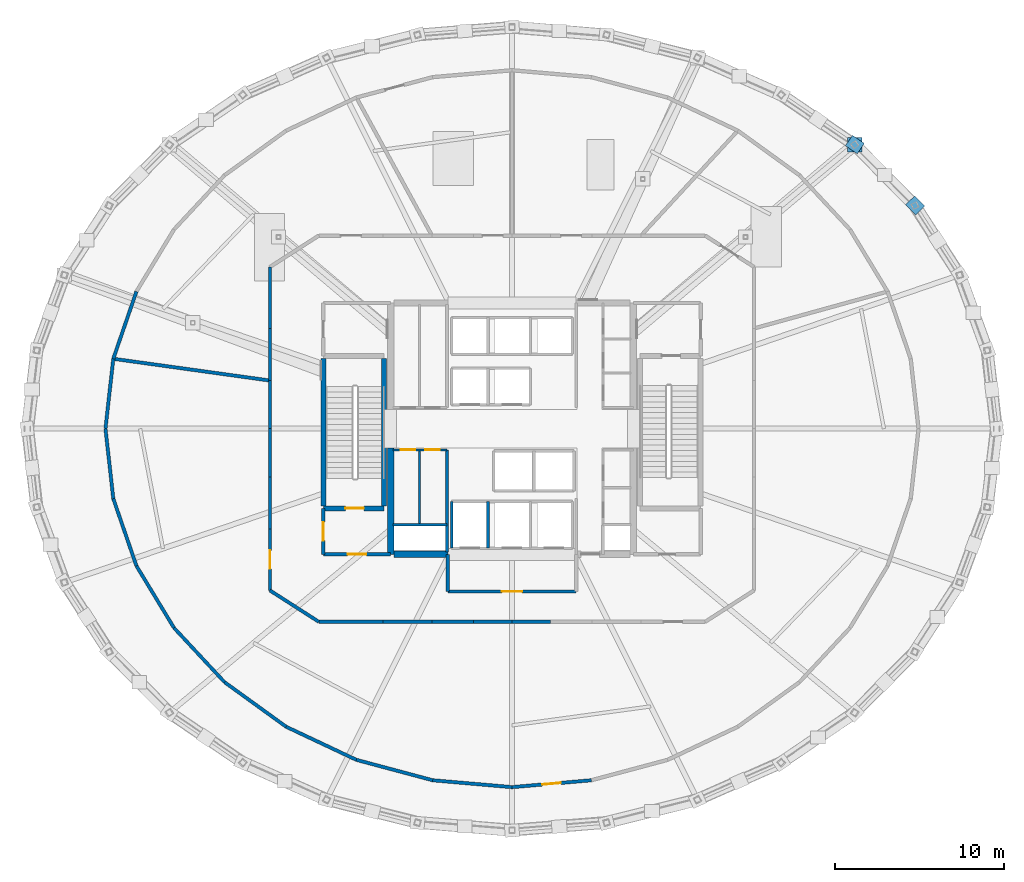
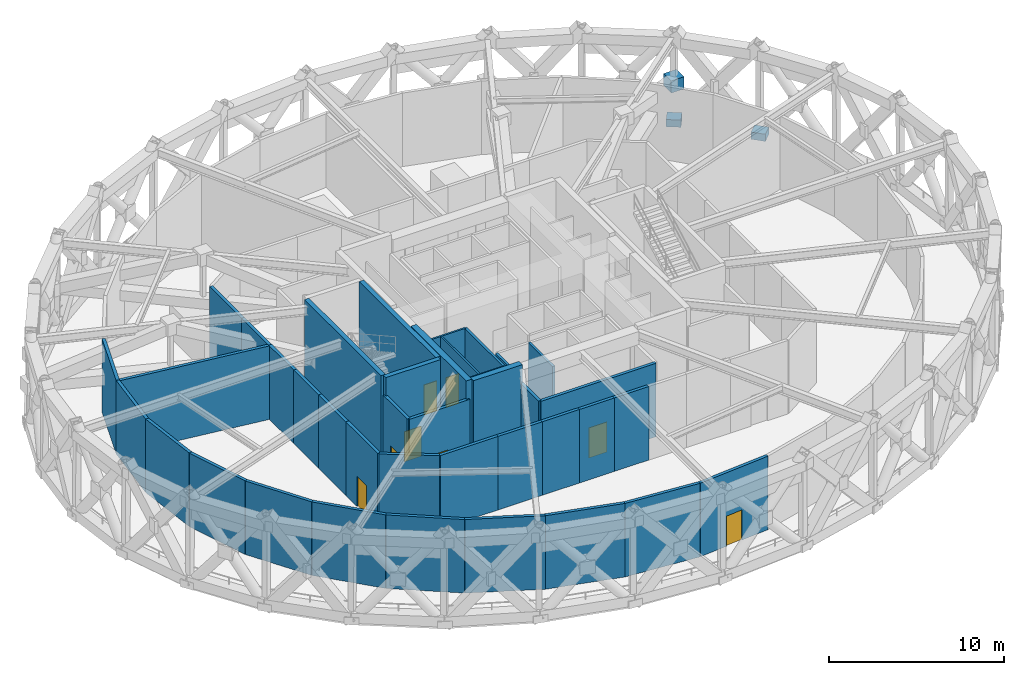
# One storey, part 8 of 15: 39 walls, 8 doors, 3 plates, 8 openings.
"""IFC4 building model written with IfcOpenShell, lengths in metres."""

from ifc_helpers import new_model, si_unit, direction, frame, frame_2d, origin, origin_2d, place, context, subcontext, project, spatial, rectangle, extrude, material, layer, layer_set, type_object, element, fill, save


model = new_model("IFC4")

# Units and contexts
model_context = context("Model", 3, precision=1e-05, world=origin(), true_north=direction((0.0, 1.0)))
body_context = subcontext(model_context, "Body", "Model", "MODEL_VIEW")
ifc_project = project(units=[si_unit("LENGTHUNIT", "METRE"), si_unit("AREAUNIT", "SQUARE_METRE"), si_unit("VOLUMEUNIT", "CUBIC_METRE"), si_unit("PLANEANGLEUNIT", "RADIAN"), si_unit("MASSUNIT", "GRAM", prefix="KILO")], contexts=[model_context])

# Site, building, storey
site_placement = place(None, origin())
site = spatial("IfcSite", under=ifc_project, at=site_placement, CompositionType="ELEMENT")
building_placement = place(site_placement, origin())
building = spatial("IfcBuilding", under=site, at=building_placement, Name="Veldorina Hangang Commons", CompositionType="ELEMENT")
storey_placement = place(building_placement, frame((0.0, 0.0, 110.800048828125)))
storey = spatial("IfcBuildingStorey", under=building, at=storey_placement, Name="L28", CompositionType="ELEMENT", Elevation=110.800048828125)

# Plates
ifc_material_1 = material(Name="Steel SM490-TMC", Category="steel")
ifc_layer_1 = layer(ifc_material_1, 0.044921875)
ifc_layer_set_1 = layer_set([ifc_layer_1], Name="Steel SM490-TMC")
plate_type_1 = type_object("IfcPlateType", Name="PL-NODE-45", PredefinedType="SHEET", material=ifc_layer_set_1)
plate_placement = place(storey_placement, frame((52.313720703125, 40.8359375, 2.4248046875), z_axis=(0.0, 0.0, 1.0), x_axis=(1.0, 0.0, 0.0)))
element("IfcPlate", 1, at=plate_placement, inside=storey, type_object=plate_type_1, Name="L28 outrigger node plate 01-OT", PredefinedType="SHEET", context=body_context, shape_type="SweptSolid", body=[
    extrude(rectangle(XDim=0.85009765625, YDim=0.85009765625, at=origin_2d()), origin(), (0.0, 0.0, 1.0), 0.85009765625),
])
ifc_material_2 = material(Name="Steel SM460-TMC", Category="steel")
ifc_layer_2 = layer(ifc_material_2, 0.035888671875)
ifc_layer_set_2 = layer_set([ifc_layer_2], Name="Steel SM460-TMC")
plate_type_2 = type_object("IfcPlateType", Name="PL-STAR-36", PredefinedType="USERDEFINED", material=ifc_layer_set_2)
for number, where, z_axis, x_axis, name in (
    (2, (55.90087890625, 37.234619140625, -0.090087890625), (0.0, 0.0, 1.0), (-0.703667578356, 0.710529337304, 0.0), "L28 diagrid star-node gusset plate 03"),
    (3, (52.325927734375, 40.844482421875, -0.090087890625), (0.0, 0.0, 1.0), (-0.826884319778, 0.562372049186, 0.0), "L28 diagrid star-node gusset plate 04"),
):
    element("IfcPlate", number, at=place(storey_placement, frame(where, z_axis=z_axis, x_axis=x_axis)), inside=storey, type_object=plate_type_2, Name=name, ObjectType="GUSSET PLATE", PredefinedType="USERDEFINED", context=body_context, shape_type="SweptSolid", body=[
        extrude(rectangle(XDim=0.85009765625, YDim=0.75, at=origin_2d()), origin(), (0.0, 0.0, 1.0), 0.5),
    ])

# Walls
ifc_material_3 = material(Name="Concrete C70/85", Category="concrete")
ifc_layer_3 = layer(ifc_material_3, 0.3798828125)
ifc_layer_set_3 = layer_set([ifc_layer_3], Name="Concrete C70/85")
wall_type_1 = type_object("IfcWallType", Name="CW-RC380-C70", PredefinedType="SHEAR", material=ifc_layer_set_3)
wall_1_placement = place(storey_placement, frame((24.800048828125, 16.550048828125, 0.0), z_axis=(0.0, 0.0, 1.0), x_axis=(0.0, 1.0, 0.0)))
element("IfcWall", 4, at=wall_1_placement, inside=storey, type_object=wall_type_1, Name="L28 W south core shear wall", PredefinedType="SHEAR", context=body_context, shape_type="SweptSolid", body=[
    extrude(rectangle(XDim=6.300048828125, YDim=0.3798828125, at=frame_2d((3.14990234375, 0.0))), origin(), (0.0, 0.0, 1.0), 6.39990234375),
])
wall_2_placement = place(storey_placement, frame((24.989990234375, 16.550048828125, 0.0), z_axis=(0.0, 0.0, 1.0), x_axis=(1.0, 0.0, 0.0)))
element("IfcWall", 5, at=wall_2_placement, inside=storey, type_object=wall_type_1, Name="L28 south-west core shear wall", PredefinedType="SHEAR", context=body_context, shape_type="SweptSolid", body=[
    extrude(rectangle(XDim=3.2099609375, YDim=0.3798828125, at=frame_2d((1.60498046875, 0.0))), origin(), (0.0, 0.0, 1.0), 6.39990234375),
])
ifc_material_4 = material(Name="Concrete C50/60", Category="concrete")
ifc_layer_4 = layer(ifc_material_4, 0.300048828125)
ifc_layer_set_4 = layer_set([ifc_layer_4], Name="Concrete C50/60")
wall_type_2 = type_object("IfcWallType", Name="SW-STAIR-300", PredefinedType="SHEAR", material=ifc_layer_set_4)
for number, where, z_axis, x_axis, name in (
    (6, (20.820068359375, 19.429931640625, 0.0), (0.0, 0.0, 1.0), (0.0, 1.0, 0.0), "L28 ST1 outer stair shear wall"),
    (7, (24.419921875, 19.429931640625, 0.0), (0.0, 0.0, 1.0), (0.0, 1.0, 0.0), "L28 ST1 inner stair shear wall"),
):
    element("IfcWall", number, at=place(storey_placement, frame(where, z_axis=z_axis, x_axis=x_axis)), inside=storey, type_object=wall_type_2, Name=name, PredefinedType="SHEAR", context=body_context, shape_type="SweptSolid", body=[
        extrude(rectangle(XDim=8.739990234375, YDim=0.300048828125, at=frame_2d((4.3701171875, 0.0))), origin(), (0.0, 0.0, 1.0), 6.39990234375),
    ])

# Wall, opening, door
wall_3_placement = place(storey_placement, frame((20.820068359375, 19.280029296875, 0.0), z_axis=(0.0, 0.0, 1.0), x_axis=(1.0, 0.0, 0.0)))
wall_3 = element("IfcWall", 8, at=wall_3_placement, inside=storey, type_object=wall_type_2, Name="L28 ST1 south stair shear wall", PredefinedType="SHEAR", context=body_context, shape_type="SweptSolid", body=[
    extrude(rectangle(XDim=3.599853515625, YDim=0.300048828125, at=frame_2d((1.7998046875, 0.0))), origin(), (0.0, 0.0, 1.0), 6.39990234375),
])
opening_1_placement = place(wall_3_placement, frame((1.300048828125, 0.0, 0.0)))
opening_1 = element("IfcOpeningElement", 9, at=opening_1_placement, cuts=wall_3, Name="Opening D-08", PredefinedType="OPENING", context=body_context, shape_type="SweptSolid", body=[
    extrude(rectangle(XDim=1.10009765625, YDim=2.10009765625, at=frame_2d((0.550048828125, 1.050048828125))), frame((0.0, 0.16015625, 0.0), z_axis=(0.0, -1.0, 0.0), x_axis=(1.0, 0.0, 0.0)), (0.0, 0.0, 1.0), 0.320068359375),
])
ifc_material_5 = material(Name="Steel Fire-Rated Smoke Seal", Category="steel")
door_type_1 = type_object("IfcDoorType", Name="DR-FIRE-1100", OperationType="SINGLE_SWING_RIGHT", PredefinedType="DOOR", material=ifc_material_5)
door_1_placement = place(opening_1_placement, origin())
door_1 = element("IfcDoor", 10, at=door_1_placement, inside=storey, type_object=door_type_1, Name="L28 Special Escape Stair ST-1 door", OperationType="SINGLE_SWING_LEFT", OverallHeight=2.10009765625, OverallWidth=1.10009765625, PredefinedType="DOOR", context=body_context, shape_type="SweptSolid", body=[
    extrude(rectangle(XDim=1.10009765625, YDim=2.10009765625, at=frame_2d((0.550048828125, 1.050048828125))), frame((0.0, 0.02490234375, 0.0), z_axis=(0.0, -1.0, 0.0), x_axis=(1.0, 0.0, 0.0)), (0.0, 0.0, 1.0), 0.050048828125),
])
fill(opening_1, door_1)

# Walls
ifc_material_6 = material(Name="Gypsum Fire-Rated Twin Stud Wall", Category="gypsum")
ifc_layer_5 = layer(ifc_material_6, 0.159912109375)
ifc_layer_set_5 = layer_set([ifc_layer_5], Name="Gypsum Fire-Rated Twin Stud Wall")
wall_type_3 = type_object("IfcWallType", Name="WL-FIRE-160", PredefinedType="SOLIDWALL", material=ifc_layer_set_5)
for number, where, z_axis, x_axis, name in (
    (11, (28.419921875, 16.919921875, 0.0), (0.0, 0.0, 1.0), (0.0, 1.0, 0.0), "L28 FFL-1 west shaft wall 033"),
    (12, (30.580078125, 16.919921875, 0.0), (0.0, 0.0, 1.0), (0.0, 1.0, 0.0), "L28 FFL-1 east shaft wall 034"),
):
    element("IfcWall", number, at=place(storey_placement, frame(where, z_axis=z_axis, x_axis=x_axis)), inside=storey, type_object=wall_type_3, Name=name, PredefinedType="SOLIDWALL", context=body_context, shape_type="SweptSolid", body=[
        extrude(rectangle(XDim=2.760009765625, YDim=0.159912109375, at=frame_2d((1.3798828125, 0.0))), origin(), (0.0, 0.0, 1.0), 5.119873046875),
    ])
wall_4_placement = place(storey_placement, frame((24.949951171875, 18.300048828125, 0.0), z_axis=(0.0, 0.0, 1.0), x_axis=(1.0, 0.0, 0.0)))
element("IfcWall", 13, at=wall_4_placement, inside=storey, type_object=wall_type_3, Name="L28 Electrical riser wall 037", PredefinedType="SOLIDWALL", context=body_context, shape_type="SweptSolid", body=[
    extrude(rectangle(XDim=3.199951171875, YDim=0.159912109375, at=frame_2d((1.60009765625, 0.0))), origin(), (0.0, 0.0, 1.0), 5.119873046875),
])
wall_5_placement = place(storey_placement, frame((28.14990234375, 16.699951171875, 0.0), z_axis=(0.0, 0.0, 1.0), x_axis=(0.0, 1.0, 0.0)))
element("IfcWall", 14, at=wall_5_placement, inside=storey, type_object=wall_type_3, Name="L28 SW core inner wall 038", PredefinedType="SOLIDWALL", context=body_context, shape_type="SweptSolid", body=[
    extrude(rectangle(XDim=6.050048828125, YDim=0.159912109375, at=frame_2d((3.02490234375, 0.0))), origin(), (0.0, 0.0, 1.0), 5.119873046875),
])

# Wall, opening, door
ifc_material_7 = material(Name="Concrete Blockwork Fire Wall C30/37", Category="masonry")
ifc_layer_6 = layer(ifc_material_7, 0.199951171875)
ifc_layer_set_6 = layer_set([ifc_layer_6], Name="Concrete Blockwork Fire Wall C30/37")
wall_type_4 = type_object("IfcWallType", Name="WL-FIRE-200", PredefinedType="SOLIDWALL", material=ifc_layer_set_6)
wall_6_placement = place(storey_placement, frame((20.820068359375, 16.550048828125, 0.0), z_axis=(0.0, 0.0, 1.0), x_axis=(0.0, 1.0, 0.0)))
wall_6 = element("IfcWall", 15, at=wall_6_placement, inside=storey, type_object=wall_type_4, Name="L28 West vestibule outer wall 001", PredefinedType="SOLIDWALL", context=body_context, shape_type="SweptSolid", body=[
    extrude(rectangle(XDim=2.72998046875, YDim=0.199951171875, at=frame_2d((1.364990234375, 0.0))), origin(), (0.0, 0.0, 1.0), 5.119873046875),
])
opening_2_placement = place(wall_6_placement, frame((0.81494140625, 0.0, 0.0)))
opening_2 = element("IfcOpeningElement", 16, at=opening_2_placement, cuts=wall_6, Name="Opening D-08", PredefinedType="OPENING", context=body_context, shape_type="SweptSolid", body=[
    extrude(rectangle(XDim=1.10009765625, YDim=2.10009765625, at=frame_2d((0.550048828125, 1.050048828125))), frame((0.0, 0.10986328125, 0.0), z_axis=(0.0, -1.0, 0.0), x_axis=(1.0, 0.0, 0.0)), (0.0, 0.0, 1.0), 0.219970703125),
])
door_2_placement = place(opening_2_placement, origin())
door_2 = element("IfcDoor", 17, at=door_2_placement, inside=storey, type_object=door_type_1, Name="L28 West vestibule west door 001", OperationType="SINGLE_SWING_LEFT", OverallHeight=2.10009765625, OverallWidth=1.10009765625, PredefinedType="DOOR", context=body_context, shape_type="SweptSolid", body=[
    extrude(rectangle(XDim=1.10009765625, YDim=2.10009765625, at=frame_2d((0.550048828125, 1.050048828125))), frame((0.0, 0.02490234375, 0.0), z_axis=(0.0, -1.0, 0.0), x_axis=(1.0, 0.0, 0.0)), (0.0, 0.0, 1.0), 0.050048828125),
])
fill(opening_2, door_2)

wall_7_placement = place(storey_placement, frame((20.820068359375, 16.550048828125, 0.0), z_axis=(0.0, 0.0, 1.0), x_axis=(1.0, 0.0, 0.0)))
wall_7 = element("IfcWall", 18, at=wall_7_placement, inside=storey, type_object=wall_type_4, Name="L28 West vestibule south wall 002", PredefinedType="SOLIDWALL", context=body_context, shape_type="SweptSolid", body=[
    extrude(rectangle(XDim=3.97998046875, YDim=0.199951171875, at=frame_2d((1.989990234375, 0.0))), origin(), (0.0, 0.0, 1.0), 5.119873046875),
])
opening_3_placement = place(wall_7_placement, frame((1.43994140625, 0.0, 0.0)))
opening_3 = element("IfcOpeningElement", 19, at=opening_3_placement, cuts=wall_7, Name="Opening D-08", PredefinedType="OPENING", context=body_context, shape_type="SweptSolid", body=[
    extrude(rectangle(XDim=1.10009765625, YDim=2.10009765625, at=frame_2d((0.550048828125, 1.050048828125))), frame((0.0, 0.10986328125, 0.0), z_axis=(0.0, -1.0, 0.0), x_axis=(1.0, 0.0, 0.0)), (0.0, 0.0, 1.0), 0.219970703125),
])
door_3_placement = place(opening_3_placement, origin())
door_3 = element("IfcDoor", 20, at=door_3_placement, inside=storey, type_object=door_type_1, Name="L28 West vestibule refuge door 002", OperationType="SINGLE_SWING_RIGHT", OverallHeight=2.10009765625, OverallWidth=1.10009765625, PredefinedType="DOOR", context=body_context, shape_type="SweptSolid", body=[
    extrude(rectangle(XDim=1.10009765625, YDim=2.10009765625, at=frame_2d((0.550048828125, 1.050048828125))), frame((0.0, 0.02490234375, 0.0), z_axis=(0.0, -1.0, 0.0), x_axis=(1.0, 0.0, 0.0)), (0.0, 0.0, 1.0), 0.050048828125),
])
fill(opening_3, door_3)

# Wall
wall_8_placement = place(storey_placement, frame((28.199951171875, 14.35009765625, 0.0), z_axis=(0.0, 0.0, 1.0), x_axis=(0.0, 1.0, 0.0)))
element("IfcWall", 21, at=wall_8_placement, inside=storey, type_object=wall_type_4, Name="L28 FF lobby west wall 012", PredefinedType="SOLIDWALL", context=body_context, shape_type="SweptSolid", body=[
    extrude(rectangle(XDim=2.199951171875, YDim=0.199951171875, at=frame_2d((1.10009765625, 0.0))), origin(), (0.0, 0.0, 1.0), 5.119873046875),
])

# Wall, opening, door
wall_9_placement = place(storey_placement, frame((28.199951171875, 14.35009765625, 0.0), z_axis=(0.0, 0.0, 1.0), x_axis=(1.0, 0.0, 0.0)))
wall_9 = element("IfcWall", 22, at=wall_9_placement, inside=storey, type_object=wall_type_4, Name="L28 FF lobby south wall 014", PredefinedType="SOLIDWALL", context=body_context, shape_type="SweptSolid", body=[
    extrude(rectangle(XDim=7.60009765625, YDim=0.199951171875, at=frame_2d((3.800048828125, 0.0))), origin(), (0.0, 0.0, 1.0), 5.119873046875),
])
opening_4_placement = place(wall_9_placement, frame((3.199951171875, 0.0, 0.0)))
opening_4 = element("IfcOpeningElement", 23, at=opening_4_placement, cuts=wall_9, Name="Opening D-09", PredefinedType="OPENING", context=body_context, shape_type="SweptSolid", body=[
    extrude(rectangle(XDim=1.199951171875, YDim=2.10009765625, at=frame_2d((0.60009765625, 1.050048828125))), frame((0.0, 0.10986328125, 0.0), z_axis=(0.0, -1.0, 0.0), x_axis=(1.0, 0.0, 0.0)), (0.0, 0.0, 1.0), 0.219970703125),
])
ifc_material_8 = material(Name="Steel Fire-Rated Corridor Door", Category="steel")
door_type_2 = type_object("IfcDoorType", Name="DR-FIRE-1200", OperationType="SINGLE_SWING_LEFT", PredefinedType="DOOR", material=ifc_material_8)
door_4_placement = place(opening_4_placement, origin())
door_4 = element("IfcDoor", 24, at=door_4_placement, inside=storey, type_object=door_type_2, Name="L28 FF lobby south corridor door 006", OperationType="SINGLE_SWING_RIGHT", OverallHeight=2.10009765625, OverallWidth=1.199951171875, PredefinedType="DOOR", context=body_context, shape_type="SweptSolid", body=[
    extrude(rectangle(XDim=1.199951171875, YDim=2.10009765625, at=frame_2d((0.60009765625, 1.050048828125))), frame((0.0, 0.02490234375, 0.0), z_axis=(0.0, -1.0, 0.0), x_axis=(1.0, 0.0, 0.0)), (0.0, 0.0, 1.0), 0.050048828125),
])
fill(opening_4, door_4)

# Walls
wall_10_placement = place(storey_placement, frame((9.734619140625, 32.132080078125, 0.0), z_axis=(0.0, 0.0, 1.0), x_axis=(-0.325351665006, -0.945593091175, 0.0)))
element("IfcWall", 25, at=wall_10_placement, inside=storey, type_object=wall_type_4, Name="L28 L28 wind-floor compartment wall 14 066", PredefinedType="SOLIDWALL", context=body_context, shape_type="SweptSolid", body=[
    extrude(rectangle(XDim=4.215576171875, YDim=0.199951171875, at=frame_2d((2.10791015625, 0.0))), origin(), (0.0, 0.0, 1.0), 5.119873046875),
])
for number, where, z_axis, x_axis, name in (
    (26, (8.363037109375, 28.145751953125, 0.0), (0.0, 0.0, 1.0), (-0.111022469206, -0.993817896464, 0.0), "L28 L28 wind-floor compartment wall 15 067"),
    (27, (7.89990234375, 24.0, 0.0), (0.0, 0.0, 1.0), (0.111022469206, -0.993817896464, 0.0), "L28 L28 wind-floor compartment wall 16 068"),
):
    element("IfcWall", number, at=place(storey_placement, frame(where, z_axis=z_axis, x_axis=x_axis)), inside=storey, type_object=wall_type_4, Name=name, PredefinedType="SOLIDWALL", context=body_context, shape_type="SweptSolid", body=[
        extrude(rectangle(XDim=4.171630859375, YDim=0.199951171875, at=frame_2d((2.0859375, 0.0))), origin(), (0.0, 0.0, 1.0), 5.119873046875),
    ])
wall_11_placement = place(storey_placement, frame((8.363037109375, 19.854248046875, 0.0), z_axis=(0.0, 0.0, 1.0), x_axis=(0.325351665006, -0.945593091175, 0.0)))
element("IfcWall", 28, at=wall_11_placement, inside=storey, type_object=wall_type_4, Name="L28 L28 wind-floor compartment wall 17 069", PredefinedType="SOLIDWALL", context=body_context, shape_type="SweptSolid", body=[
    extrude(rectangle(XDim=4.215576171875, YDim=0.199951171875, at=frame_2d((2.10791015625, 0.0))), origin(), (0.0, 0.0, 1.0), 5.119873046875),
])
wall_12_placement = place(storey_placement, frame((9.734619140625, 15.867919921875, 0.0), z_axis=(0.0, 0.0, 1.0), x_axis=(0.518384837447, -0.855147449452, 0.0)))
element("IfcWall", 29, at=wall_12_placement, inside=storey, type_object=wall_type_4, Name="L28 L28 wind-floor compartment wall 18 070", PredefinedType="SOLIDWALL", context=body_context, shape_type="SweptSolid", body=[
    extrude(rectangle(XDim=4.296142578125, YDim=0.199951171875, at=frame_2d((2.14794921875, 0.0))), origin(), (0.0, 0.0, 1.0), 5.119873046875),
])
wall_13_placement = place(storey_placement, frame((11.961669921875, 12.194091796875, 0.0), z_axis=(0.0, 0.0, 1.0), x_axis=(0.681317030747, -0.731988458661, 0.0)))
element("IfcWall", 30, at=wall_13_placement, inside=storey, type_object=wall_type_4, Name="L28 L28 wind-floor compartment wall 19 071", PredefinedType="SOLIDWALL", context=body_context, shape_type="SweptSolid", body=[
    extrude(rectangle(XDim=4.39892578125, YDim=0.199951171875, at=frame_2d((2.199462890625, 0.0))), origin(), (0.0, 0.0, 1.0), 5.119873046875),
])
wall_14_placement = place(storey_placement, frame((14.958740234375, 8.97412109375, 0.0), z_axis=(0.0, 0.0, 1.0), x_axis=(0.810131923704, -0.586247615088, 0.0)))
element("IfcWall", 31, at=wall_14_placement, inside=storey, type_object=wall_type_4, Name="L28 L28 wind-floor compartment wall 20 072", PredefinedType="SOLIDWALL", context=body_context, shape_type="SweptSolid", body=[
    extrude(rectangle(XDim=4.508056640625, YDim=0.199951171875, at=frame_2d((2.25390625, 0.0))), origin(), (0.0, 0.0, 1.0), 5.119873046875),
])
wall_15_placement = place(storey_placement, frame((18.61083984375, 6.331298828125, 0.0), z_axis=(0.0, 0.0, 1.0), x_axis=(0.904574703116, -0.426315149253, 0.0)))
element("IfcWall", 32, at=wall_15_placement, inside=storey, type_object=wall_type_4, Name="L28 L28 wind-floor compartment wall 21 073", PredefinedType="SOLIDWALL", context=body_context, shape_type="SweptSolid", body=[
    extrude(rectangle(XDim=4.60595703125, YDim=0.199951171875, at=frame_2d((2.302978515625, 0.0))), origin(), (0.0, 0.0, 1.0), 5.119873046875),
])
wall_16_placement = place(storey_placement, frame((22.77734375, 4.36767578125, 0.0), z_axis=(0.0, 0.0, 1.0), x_axis=(0.9660285601, -0.258435332473, 0.0)))
element("IfcWall", 33, at=wall_16_placement, inside=storey, type_object=wall_type_4, Name="L28 L28 wind-floor compartment wall 22 074", PredefinedType="SOLIDWALL", context=body_context, shape_type="SweptSolid", body=[
    extrude(rectangle(XDim=4.679931640625, YDim=0.199951171875, at=frame_2d((2.33984375, 0.0))), origin(), (0.0, 0.0, 1.0), 5.119873046875),
])
wall_17_placement = place(storey_placement, frame((27.29833984375, 3.158203125, 0.0), z_axis=(0.0, 0.0, 1.0), x_axis=(0.996252226141, -0.086495675673, 0.0)))
element("IfcWall", 34, at=wall_17_placement, inside=storey, type_object=wall_type_4, Name="L28 L28 wind-floor compartment wall 23 075", PredefinedType="SOLIDWALL", context=body_context, shape_type="SweptSolid", body=[
    extrude(rectangle(XDim=4.71923828125, YDim=0.199951171875, at=frame_2d((2.359619140625, 0.0))), origin(), (0.0, 0.0, 1.0), 5.119873046875),
])

# Wall, opening, door
wall_18_placement = place(storey_placement, frame((32.0, 2.75, 0.0), z_axis=(0.0, 0.0, 1.0), x_axis=(0.996252226141, 0.086495675673, 0.0)))
wall_18 = element("IfcWall", 35, at=wall_18_placement, inside=storey, type_object=wall_type_4, Name="L28 L28 wind-floor compartment wall 24 076", PredefinedType="SOLIDWALL", context=body_context, shape_type="SweptSolid", body=[
    extrude(rectangle(XDim=4.71923828125, YDim=0.199951171875, at=frame_2d((2.359619140625, 0.0))), origin(), (0.0, 0.0, 1.0), 5.119873046875),
])
opening_5_placement = place(wall_18_placement, frame((1.809814453125, 0.0, 0.0)))
opening_5 = element("IfcOpeningElement", 36, at=opening_5_placement, cuts=wall_18, Name="Opening D-08", PredefinedType="OPENING", context=body_context, shape_type="SweptSolid", body=[
    extrude(rectangle(XDim=1.10009765625, YDim=2.10009765625, at=frame_2d((0.550048828125, 1.050048828125))), frame((0.0, 0.10986328125, 0.0), z_axis=(0.0, -1.0, 0.0), x_axis=(1.0, 0.0, 0.0)), (0.0, 0.0, 1.0), 0.219970703125),
])
door_5_placement = place(opening_5_placement, origin())
door_5 = element("IfcDoor", 37, at=door_5_placement, inside=storey, type_object=door_type_1, Name="L28 L28 wind gallery south door 021", OperationType="SINGLE_SWING_LEFT", OverallHeight=2.10009765625, OverallWidth=1.10009765625, PredefinedType="DOOR", context=body_context, shape_type="SweptSolid", body=[
    extrude(rectangle(XDim=1.10009765625, YDim=2.10009765625, at=frame_2d((0.550048828125, 1.050048828125))), frame((0.0, 0.02490234375, 0.0), z_axis=(0.0, -1.0, 0.0), x_axis=(1.0, 0.0, 0.0)), (0.0, 0.0, 1.0), 0.050048828125),
])
fill(opening_5, door_5)

# Walls
wall_19_placement = place(storey_placement, frame((17.64990234375, 33.58837890625, 0.0), z_axis=(0.0, 0.0, 1.0), x_axis=(0.0, -1.0, 0.0)))
element("IfcWall", 38, at=wall_19_placement, inside=storey, type_object=wall_type_4, Name="L28 Plant corridor wall 13 097", PredefinedType="SOLIDWALL", context=body_context, shape_type="SweptSolid", body=[
    extrude(rectangle(XDim=3.644287109375, YDim=0.199951171875, at=frame_2d((1.822265625, 0.0))), origin(), (0.0, 0.0, 1.0), 5.119873046875),
])
wall_20_placement = place(storey_placement, frame((17.64990234375, 29.944091796875, 0.0), z_axis=(0.0, 0.0, 1.0), x_axis=(0.0, -1.0, 0.0)))
element("IfcWall", 39, at=wall_20_placement, inside=storey, type_object=wall_type_4, Name="L28 Plant corridor wall 14 098", PredefinedType="SOLIDWALL", context=body_context, shape_type="SweptSolid", body=[
    extrude(rectangle(XDim=3.089599609375, YDim=0.199951171875, at=frame_2d((1.544921875, 0.0))), origin(), (0.0, 0.0, 1.0), 5.119873046875),
])
for number, where, z_axis, x_axis, name in (
    (40, (17.64990234375, 26.8544921875, 0.0), (0.0, 0.0, 1.0), (0.0, -1.0, 0.0), "L28 Plant corridor wall 15 099"),
    (41, (17.64990234375, 24.0, 0.0), (0.0, 0.0, 1.0), (0.0, -1.0, 0.0), "L28 Plant corridor wall 16 100"),
):
    element("IfcWall", number, at=place(storey_placement, frame(where, z_axis=z_axis, x_axis=x_axis)), inside=storey, type_object=wall_type_4, Name=name, PredefinedType="SOLIDWALL", context=body_context, shape_type="SweptSolid", body=[
        extrude(rectangle(XDim=2.8544921875, YDim=0.199951171875, at=frame_2d((1.42724609375, 0.0))), origin(), (0.0, 0.0, 1.0), 5.119873046875),
    ])
wall_21_placement = place(storey_placement, frame((17.64990234375, 21.1455078125, 0.0), z_axis=(0.0, 0.0, 1.0), x_axis=(0.0, -1.0, 0.0)))
element("IfcWall", 42, at=wall_21_placement, inside=storey, type_object=wall_type_4, Name="L28 Plant corridor wall 17 101", PredefinedType="SOLIDWALL", context=body_context, shape_type="SweptSolid", body=[
    extrude(rectangle(XDim=3.089599609375, YDim=0.199951171875, at=frame_2d((1.544921875, 0.0))), origin(), (0.0, 0.0, 1.0), 5.119873046875),
])

# Wall, opening, door
wall_22_placement = place(storey_placement, frame((17.64990234375, 18.055908203125, 0.0), z_axis=(0.0, 0.0, 1.0), x_axis=(0.0, -1.0, 0.0)))
wall_22 = element("IfcWall", 43, at=wall_22_placement, inside=storey, type_object=wall_type_4, Name="L28 Plant corridor wall 18 102", PredefinedType="SOLIDWALL", context=body_context, shape_type="SweptSolid", body=[
    extrude(rectangle(XDim=3.644287109375, YDim=0.199951171875, at=frame_2d((1.822265625, 0.0))), origin(), (0.0, 0.0, 1.0), 5.119873046875),
])
opening_6_placement = place(wall_22_placement, frame((1.272216796875, 0.0, 0.0)))
opening_6 = element("IfcOpeningElement", 44, at=opening_6_placement, cuts=wall_22, Name="Opening D-08", PredefinedType="OPENING", context=body_context, shape_type="SweptSolid", body=[
    extrude(rectangle(XDim=1.10009765625, YDim=2.10009765625, at=frame_2d((0.550048828125, 1.050048828125))), frame((0.0, 0.10986328125, 0.0), z_axis=(0.0, -1.0, 0.0), x_axis=(1.0, 0.0, 0.0)), (0.0, 0.0, 1.0), 0.219970703125),
])
door_6_placement = place(opening_6_placement, origin())
door_6 = element("IfcDoor", 45, at=door_6_placement, inside=storey, type_object=door_type_1, Name="L28 Refuge west corridor door 023", OperationType="SINGLE_SWING_LEFT", OverallHeight=2.10009765625, OverallWidth=1.10009765625, PredefinedType="DOOR", context=body_context, shape_type="SweptSolid", body=[
    extrude(rectangle(XDim=1.10009765625, YDim=2.10009765625, at=frame_2d((0.550048828125, 1.050048828125))), frame((0.0, 0.02490234375, 0.0), z_axis=(0.0, -1.0, 0.0), x_axis=(1.0, 0.0, 0.0)), (0.0, 0.0, 1.0), 0.050048828125),
])
fill(opening_6, door_6)

# Walls
wall_23_placement = place(storey_placement, frame((17.64990234375, 14.41162109375, 0.0), z_axis=(0.0, 0.0, 1.0), x_axis=(0.841548863049, -0.540180998464, 0.0)))
element("IfcWall", 46, at=wall_23_placement, inside=storey, type_object=wall_type_4, Name="L28 Plant corridor wall 19 103", PredefinedType="SOLIDWALL", context=body_context, shape_type="SweptSolid", body=[
    extrude(rectangle(XDim=3.4462890625, YDim=0.199951171875, at=frame_2d((1.72314453125, 0.0))), origin(), (0.0, 0.0, 1.0), 5.119873046875),
])
wall_24_placement = place(storey_placement, frame((20.550048828125, 12.550048828125, 0.0), z_axis=(0.0, 0.0, 1.0), x_axis=(1.0, 0.0, 0.0)))
element("IfcWall", 47, at=wall_24_placement, inside=storey, type_object=wall_type_4, Name="L28 Plant corridor wall 20 104", PredefinedType="SOLIDWALL", context=body_context, shape_type="SweptSolid", body=[
    extrude(rectangle(XDim=3.79931640625, YDim=0.199951171875, at=frame_2d((1.899658203125, 0.0))), origin(), (0.0, 0.0, 1.0), 5.119873046875),
])
wall_25_placement = place(storey_placement, frame((24.349365234375, 12.550048828125, 0.0), z_axis=(0.0, 0.0, 1.0), x_axis=(1.0, 0.0, 0.0)))
element("IfcWall", 48, at=wall_25_placement, inside=storey, type_object=wall_type_4, Name="L28 Plant corridor wall 21 105", PredefinedType="SOLIDWALL", context=body_context, shape_type="SweptSolid", body=[
    extrude(rectangle(XDim=2.907958984375, YDim=0.199951171875, at=frame_2d((1.4541015625, 0.0))), origin(), (0.0, 0.0, 1.0), 5.119873046875),
])
wall_26_placement = place(storey_placement, frame((27.25732421875, 12.550048828125, 0.0), z_axis=(0.0, 0.0, 1.0), x_axis=(1.0, 0.0, 0.0)))
element("IfcWall", 49, at=wall_26_placement, inside=storey, type_object=wall_type_4, Name="L28 Plant corridor wall 22 106", PredefinedType="SOLIDWALL", context=body_context, shape_type="SweptSolid", body=[
    extrude(rectangle(XDim=2.465087890625, YDim=0.199951171875, at=frame_2d((1.232421875, 0.0))), origin(), (0.0, 0.0, 1.0), 5.119873046875),
])
for number, where, z_axis, x_axis, name in (
    (50, (29.722412109375, 12.550048828125, 0.0), (0.0, 0.0, 1.0), (1.0, 0.0, 0.0), "L28 Plant corridor wall 23 107"),
    (51, (32.0, 12.550048828125, 0.0), (0.0, 0.0, 1.0), (1.0, 0.0, 0.0), "L28 Plant corridor wall 24 108"),
):
    element("IfcWall", number, at=place(storey_placement, frame(where, z_axis=z_axis, x_axis=x_axis)), inside=storey, type_object=wall_type_4, Name=name, PredefinedType="SOLIDWALL", context=body_context, shape_type="SweptSolid", body=[
        extrude(rectangle(XDim=2.277587890625, YDim=0.199951171875, at=frame_2d((1.138671875, 0.0))), origin(), (0.0, 0.0, 1.0), 5.119873046875),
    ])
wall_27_placement = place(storey_placement, frame((17.64990234375, 26.8544921875, 0.0), z_axis=(0.0, 0.0, 1.0), x_axis=(-0.990471664009, 0.137716675805, 0.0)))
element("IfcWall", 52, at=wall_27_placement, inside=storey, type_object=wall_type_4, Name="L28 Refuge west outer fire wall 116", PredefinedType="SOLIDWALL", context=body_context, shape_type="SweptSolid", body=[
    extrude(rectangle(XDim=9.376220703125, YDim=0.199951171875, at=frame_2d((4.68798828125, 0.0))), origin(), (0.0, 0.0, 1.0), 5.119873046875),
])

# Wall, openings, doors
ifc_material_9 = material(Name="Gypsum Acoustic Stud Partition", Category="gypsum")
ifc_layer_7 = layer(ifc_material_9, 0.1201171875)
ifc_layer_set_7 = layer_set([ifc_layer_7], Name="Gypsum Acoustic Stud Partition")
wall_type_5 = type_object("IfcWallType", Name="WL-PART-120", PredefinedType="PARTITIONING", material=ifc_layer_set_7)
wall_28_placement = place(storey_placement, frame((24.949951171875, 22.75, 0.0), z_axis=(0.0, 0.0, 1.0), x_axis=(1.0, 0.0, 0.0)))
wall_28 = element("IfcWall", 53, at=wall_28_placement, inside=storey, type_object=wall_type_5, Name="L28 SW service north wall 042", PredefinedType="PARTITIONING", context=body_context, shape_type="SweptSolid", body=[
    extrude(rectangle(XDim=3.199951171875, YDim=0.1201171875, at=frame_2d((1.60009765625, 0.0))), origin(), (0.0, 0.0, 1.0), 5.119873046875),
])
opening_7_placement = place(wall_28_placement, frame((0.43994140625, 0.0, 0.0)))
opening_7 = element("IfcOpeningElement", 54, at=opening_7_placement, cuts=wall_28, Name="Opening D-01", PredefinedType="OPENING", context=body_context, shape_type="SweptSolid", body=[
    extrude(rectangle(XDim=0.860107421875, YDim=2.10009765625, at=frame_2d((0.43017578125, 1.050048828125))), frame((0.0, 0.070068359375, 0.0), z_axis=(0.0, -1.0, 0.0), x_axis=(1.0, 0.0, 0.0)), (0.0, 0.0, 1.0), 0.14013671875),
])
opening_8_placement = place(wall_28_placement, frame((1.89990234375, 0.0, 0.0)))
opening_8 = element("IfcOpeningElement", 55, at=opening_8_placement, cuts=wall_28, Name="Opening D-01", PredefinedType="OPENING", context=body_context, shape_type="SweptSolid", body=[
    extrude(rectangle(XDim=0.860107421875, YDim=2.10009765625, at=frame_2d((0.43017578125, 1.050048828125))), frame((0.0, 0.070068359375, 0.0), z_axis=(0.0, -1.0, 0.0), x_axis=(1.0, 0.0, 0.0)), (0.0, 0.0, 1.0), 0.14013671875),
])
ifc_material_10 = material(Name="Timber Moisture-Resistant Core", Category="wood")
door_type_3 = type_object("IfcDoorType", Name="DR-WET-860", OperationType="SINGLE_SWING_LEFT", PredefinedType="DOOR", material=ifc_material_10)
door_7_placement = place(opening_7_placement, origin())
door_7 = element("IfcDoor", 56, at=door_7_placement, inside=storey, type_object=door_type_3, Name="L28 Cleaners door 014", OperationType="SINGLE_SWING_RIGHT", OverallHeight=2.10009765625, OverallWidth=0.860107421875, PredefinedType="DOOR", context=body_context, shape_type="SweptSolid", body=[
    extrude(rectangle(XDim=0.860107421875, YDim=2.10009765625, at=frame_2d((0.43017578125, 1.050048828125))), frame((0.0, 0.02490234375, 0.0), z_axis=(0.0, -1.0, 0.0), x_axis=(1.0, 0.0, 0.0)), (0.0, 0.0, 1.0), 0.050048828125),
])
fill(opening_7, door_7)
door_8_placement = place(opening_8_placement, origin())
door_8 = element("IfcDoor", 57, at=door_8_placement, inside=storey, type_object=door_type_3, Name="L28 Metering door 015", OperationType="SINGLE_SWING_LEFT", OverallHeight=2.10009765625, OverallWidth=0.860107421875, PredefinedType="DOOR", context=body_context, shape_type="SweptSolid", body=[
    extrude(rectangle(XDim=0.860107421875, YDim=2.10009765625, at=frame_2d((0.43017578125, 1.050048828125))), frame((0.0, 0.02490234375, 0.0), z_axis=(0.0, -1.0, 0.0), x_axis=(1.0, 0.0, 0.0)), (0.0, 0.0, 1.0), 0.050048828125),
])
fill(opening_8, door_8)

# Wall
wall_29_placement = place(storey_placement, frame((26.530029296875, 18.300048828125, 0.0), z_axis=(0.0, 0.0, 1.0), x_axis=(0.0, 1.0, 0.0)))
element("IfcWall", 58, at=wall_29_placement, inside=storey, type_object=wall_type_5, Name="L28 SW vertical split 048", PredefinedType="PARTITIONING", context=body_context, shape_type="SweptSolid", body=[
    extrude(rectangle(XDim=4.449951171875, YDim=0.1201171875, at=frame_2d((2.22509765625, 0.0))), origin(), (0.0, 0.0, 1.0), 5.119873046875),
])

save(model, "model.ifc")
